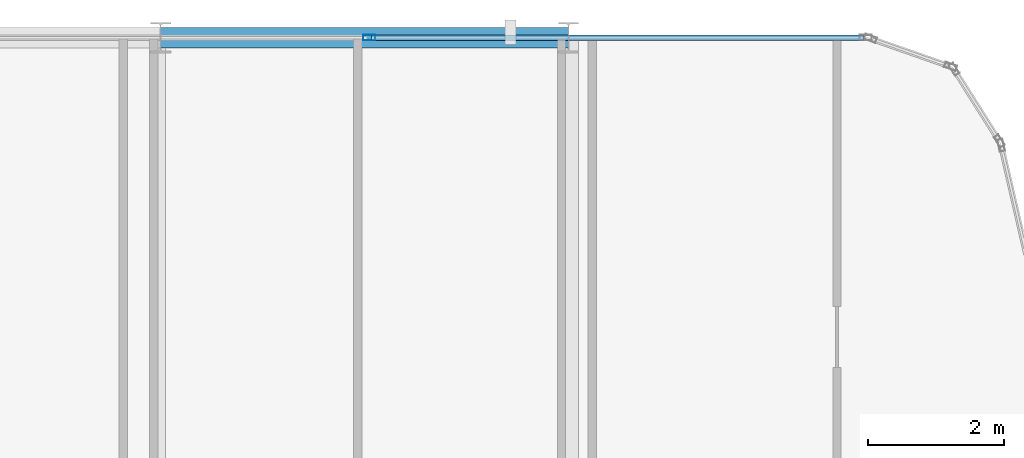
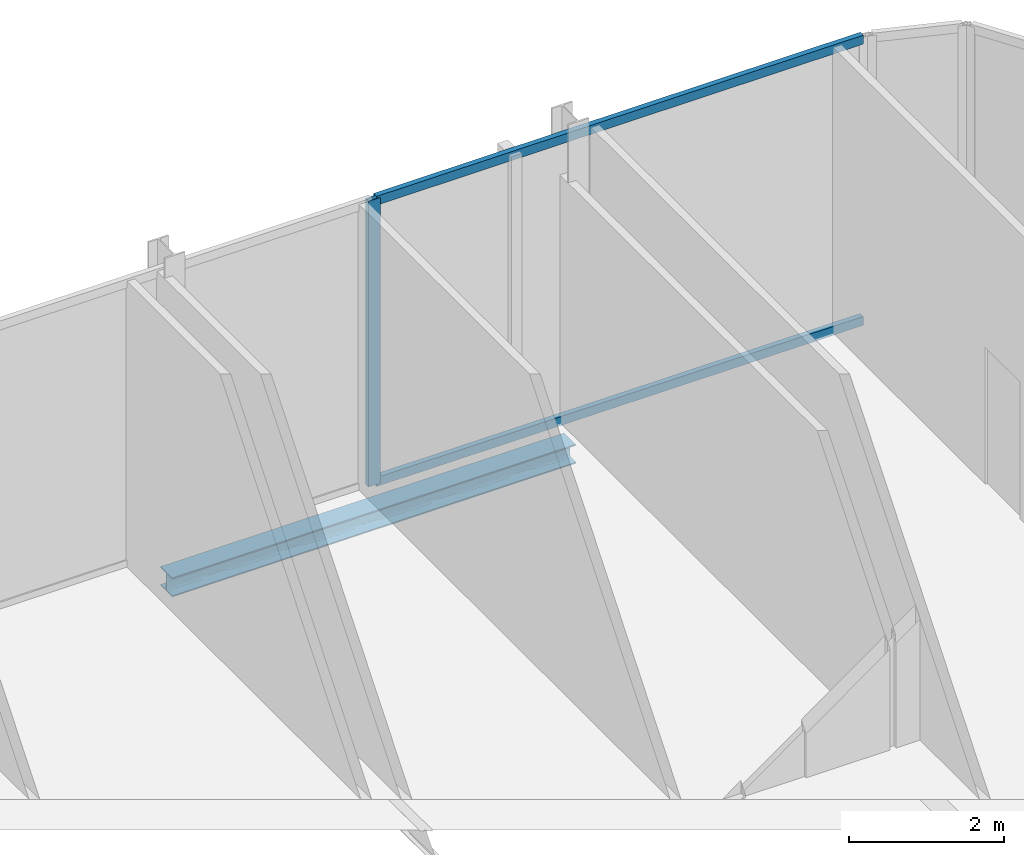
# One storey, part 19 of 29: 3 members, 1 beam, 1 element without a shape of its own.
"""IFC4 building model written with IfcOpenShell, lengths in metres."""

from ifc_helpers import new_model, si_unit, direction, frame, origin, origin_2d, place, context, subcontext, project, spatial, hollow_rectangle, i_section, extrude, material, layer, layer_set, material_profile, profile_set, type_object, element, aggregate, save


model = new_model("IFC4")

# Units and contexts
model_context = context("Model", 3, precision=1e-05, world=origin(), true_north=direction((0.0, 1.0)))
body_context = subcontext(model_context, "Body", "Model", "MODEL_VIEW")
ifc_project = project(units=[si_unit("LENGTHUNIT", "METRE"), si_unit("AREAUNIT", "SQUARE_METRE"), si_unit("VOLUMEUNIT", "CUBIC_METRE"), si_unit("PLANEANGLEUNIT", "RADIAN"), si_unit("MASSUNIT", "GRAM", prefix="KILO")], contexts=[model_context])

# Site, building, storey
site_placement = place(None, origin())
site = spatial("IfcSite", under=ifc_project, at=site_placement, CompositionType="ELEMENT")
building_placement = place(site_placement, origin())
building = spatial("IfcBuilding", under=site, at=building_placement, Name="Keshet Zoharim Tower", CompositionType="ELEMENT")
storey_placement = place(building_placement, frame((0.0, 0.0, 218.0)))
storey = spatial("IfcBuildingStorey", under=building, at=storey_placement, Name="L54", CompositionType="ELEMENT", Elevation=218.0)

# Beam
ifc_material_1 = material(Name="Steel S355", Category="steel")
ifc_material_profile_1 = material_profile(ifc_material_1, i_section(OverallWidth=0.300048828125, OverallDepth=0.300048828125, WebThickness=0.010986328125, FlangeThickness=0.01904296875, FilletRadius=0.027099609375, at=origin_2d()), Name="HEB300")
ifc_profile_set_1 = profile_set([ifc_material_profile_1], Name="Steel S355")
beam_type = type_object("IfcBeamType", Name="BM-PRI-HB300", PredefinedType="BEAM", material=ifc_profile_set_1)
beam_placement = place(storey_placement, frame((27.0, 53.89990234375, -0.469970703125), z_axis=(1.0, 0.0, 0.0), x_axis=(0.0, 1.0, 0.0)))
element("IfcBeam", 1, at=beam_placement, inside=storey, type_object=beam_type, Name="L54 Primary Girder X-020", PredefinedType="BEAM", context=body_context, shape_type="SweptSolid", body=[
    extrude(i_section(OverallWidth=0.300048828125, OverallDepth=0.300048828125, WebThickness=0.010986328125, FlangeThickness=0.01904296875, FilletRadius=0.027099609375, at=origin_2d()), origin(), (0.0, 0.0, 1.0), 6.0),
])

# Curtain wall, members
ifc_material_2 = material(Name="Aluminium 6063-T6", Category="aluminium")
ifc_layer = layer(ifc_material_2, 0.14990234375)
ifc_layer_set = layer_set([ifc_layer], Name="Aluminium 6063-T6")
curtain_wall_type = type_object("IfcCurtainWallType", Name="CW-SYS-04", PredefinedType="NOTDEFINED", material=ifc_layer_set)
curtain_wall_placement = place(storey_placement, origin())
curtain_wall = element("IfcCurtainWall", 2, at=curtain_wall_placement, inside=storey, type_object=curtain_wall_type, Name="L54 Unitised Curtain Wall 16 Part 3", PredefinedType="NOTDEFINED")
ifc_material_profile_2 = material_profile(ifc_material_2, hollow_rectangle(XDim=0.080078125, YDim=0.179931640625, WallThickness=0.00439453125, at=origin_2d()), Name="MUL-80x180")
ifc_profile_set_2 = profile_set([ifc_material_profile_2], Name="Aluminium 6063-T6")
member_type_1 = type_object("IfcMemberType", Name="CWM-M18", PredefinedType="MULLION", material=ifc_profile_set_2)
member_1_placement = place(storey_placement, frame((30.0693359375, 53.89990234375, 0.0), z_axis=(0.0, 0.0, 1.0), x_axis=(0.0, 1.0, 0.0)))
member_1 = element("IfcMember", 3, at=member_1_placement, type_object=member_type_1, Name="CW-04 mullion 2", PredefinedType="MULLION", context=body_context, shape_type="SweptSolid", body=[
    extrude(hollow_rectangle(XDim=0.080078125, YDim=0.179931640625, WallThickness=0.00439453125, at=origin_2d()), origin(), (0.0, 0.0, 1.0), 4.489990234375),
])
ifc_material_profile_3 = material_profile(ifc_material_2, hollow_rectangle(XDim=0.080078125, YDim=0.139892578125, WallThickness=0.00390625, at=origin_2d()), Name="TRN-80x140")
ifc_profile_set_3 = profile_set([ifc_material_profile_3], Name="Aluminium 6063-T6")
member_type_2 = type_object("IfcMemberType", Name="CWT-T14", PredefinedType="USERDEFINED", material=ifc_profile_set_3)
member_2_placement = place(storey_placement, frame((30.104248046875, 53.89990234375, 0.034912109375), z_axis=(1.0, 0.0, 0.0), x_axis=(0.0, 1.0, 0.0)))
member_2 = element("IfcMember", 4, at=member_2_placement, type_object=member_type_2, Name="CW-04 transom 2.1", ObjectType="TRANSOM", PredefinedType="USERDEFINED", context=body_context, shape_type="SweptSolid", body=[
    extrude(hollow_rectangle(XDim=0.080078125, YDim=0.139892578125, WallThickness=0.00390625, at=origin_2d()), origin(), (0.0, 0.0, 1.0), 7.23486328125),
])
member_3_placement = place(storey_placement, frame((30.104248046875, 53.89990234375, 4.455078125), z_axis=(1.0, 0.0, 0.0), x_axis=(0.0, 1.0, 0.0)))
member_3 = element("IfcMember", 5, at=member_3_placement, type_object=member_type_2, Name="CW-04 transom 2.2", ObjectType="TRANSOM", PredefinedType="USERDEFINED", context=body_context, shape_type="SweptSolid", body=[
    extrude(hollow_rectangle(XDim=0.080078125, YDim=0.139892578125, WallThickness=0.00390625, at=origin_2d()), origin(), (0.0, 0.0, 1.0), 7.23486328125),
])
aggregate(curtain_wall, [member_1, member_2, member_3])

save(model, "model.ifc")
